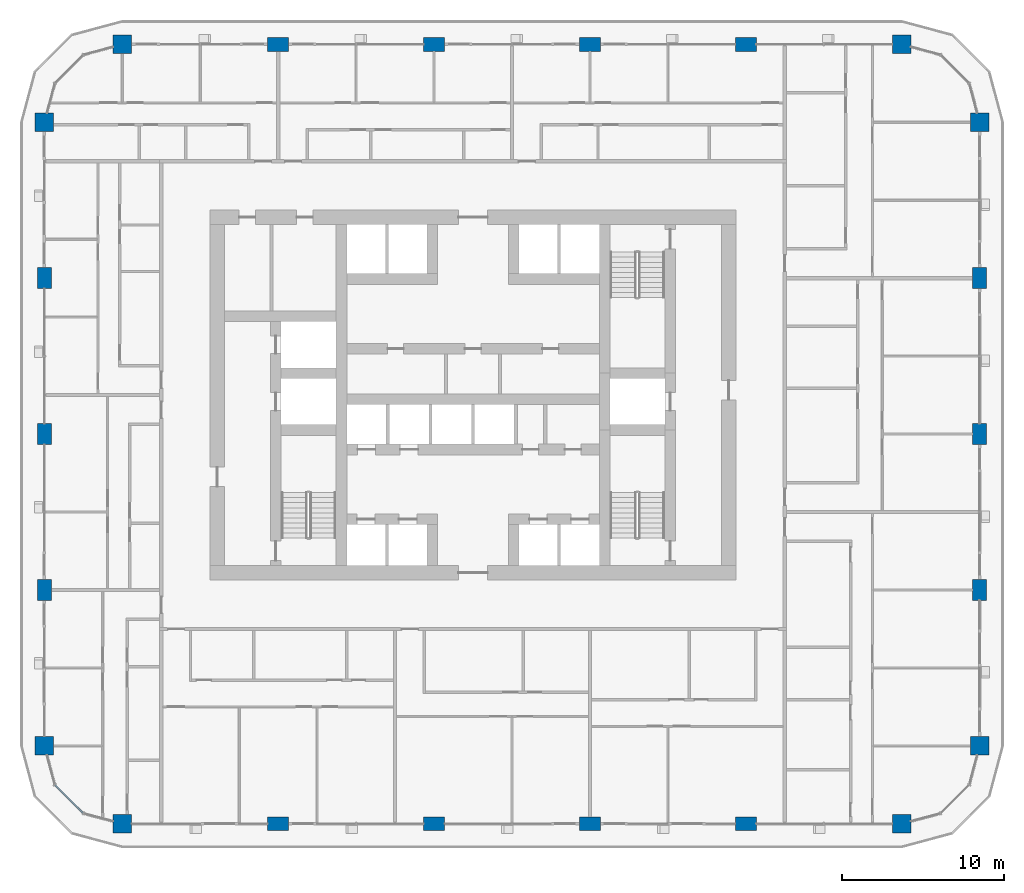
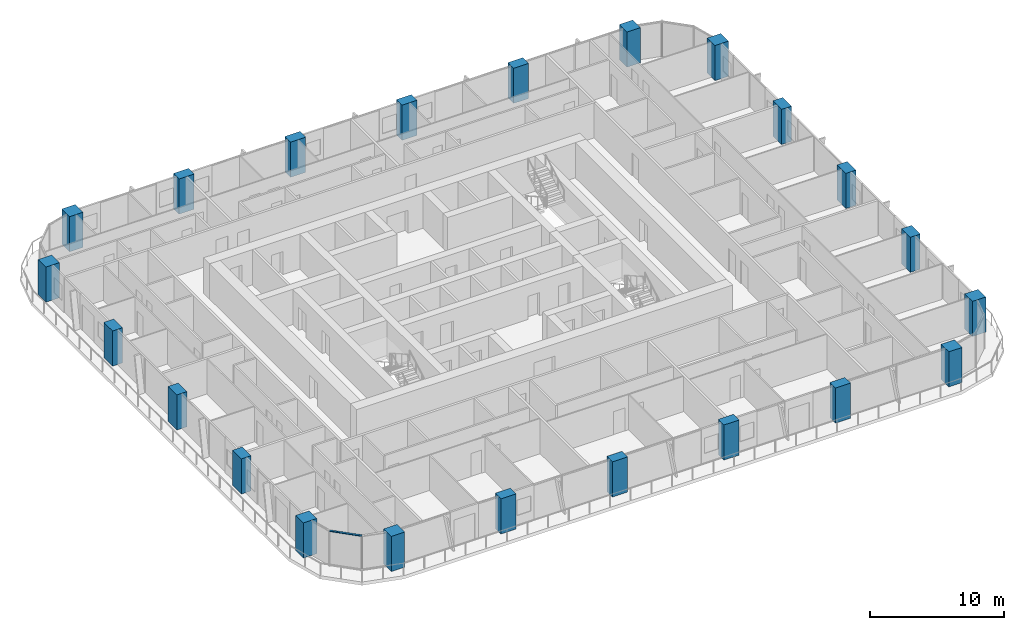
# One storey, part 1 of 22: 22 columns, 1 member, 1 element without a shape of its own.
"""IFC4 building model written with IfcOpenShell, lengths in metres."""

from ifc_helpers import new_model, si_unit, direction, frame, origin, origin_2d, place, context, subcontext, project, spatial, rectangle, extrude, material, layer, layer_set, material_profile, profile_set, type_object, element, aggregate, save


model = new_model("IFC4")

# Units and contexts
model_context = context("Model", 3, precision=1e-05, world=origin(), true_north=direction((0.0, 1.0)))
body_context = subcontext(model_context, "Body", "Model", "MODEL_VIEW")
ifc_project = project(units=[si_unit("LENGTHUNIT", "METRE"), si_unit("AREAUNIT", "SQUARE_METRE"), si_unit("VOLUMEUNIT", "CUBIC_METRE"), si_unit("PLANEANGLEUNIT", "RADIAN"), si_unit("MASSUNIT", "GRAM", prefix="KILO")], contexts=[model_context])

# Site, building, storey
site_placement = place(None, origin())
site = spatial("IfcSite", under=ifc_project, at=site_placement, CompositionType="ELEMENT")
building_placement = place(site_placement, origin())
building = spatial("IfcBuilding", under=site, at=building_placement, Name="Madar Terraces", CompositionType="ELEMENT")
storey_placement = place(building_placement, frame((0.0, 0.0, 76.800048828125)))
storey = spatial("IfcBuildingStorey", under=building, at=storey_placement, Name="L19", CompositionType="ELEMENT", Elevation=76.800048828125)

# Columns
ifc_material_1 = material(Name="Concrete C80/95", Category="concrete")
ifc_material_profile_1 = material_profile(ifc_material_1, rectangle(XDim=1.300048828125, YDim=0.85009765625, at=origin_2d()), Name="CC2 RC 1300x850")
ifc_profile_set_1 = profile_set([ifc_material_profile_1], Name="Concrete C80/95")
column_type_1 = type_object("IfcColumnType", Name="CC2 RC 1300x850", PredefinedType="COLUMN", material=ifc_profile_set_1)
for number, where, z_axis, x_axis, name in (
    (1, (19.199951171875, 0.0, 0.0), (0.0, 0.0, 1.0), (1.0, 0.0, 0.0), "Perimeter column S2"),
    (2, (28.800048828125, 0.0, 0.0), (0.0, 0.0, 1.0), (1.0, 0.0, 0.0), "Perimeter column S3"),
    (3, (38.39990234375, 0.0, 0.0), (0.0, 0.0, 1.0), (1.0, 0.0, 0.0), "Perimeter column S4"),
    (4, (48.0, 0.0, 0.0), (0.0, 0.0, 1.0), (1.0, 0.0, 0.0), "Perimeter column S5"),
    (5, (62.39990234375, 14.39990234375, 0.0), (0.0, 0.0, 1.0), (0.0, 1.0, 0.0), "Perimeter column E2"),
    (6, (62.39990234375, 24.0, 0.0), (0.0, 0.0, 1.0), (0.0, 1.0, 0.0), "Perimeter column E3"),
    (7, (62.39990234375, 33.60009765625, 0.0), (0.0, 0.0, 1.0), (0.0, 1.0, 0.0), "Perimeter column E4"),
    (8, (48.0, 48.0, 0.0), (0.0, 0.0, 1.0), (1.0, 0.0, 0.0), "Perimeter column N2"),
    (9, (38.39990234375, 48.0, 0.0), (0.0, 0.0, 1.0), (1.0, 0.0, 0.0), "Perimeter column N3"),
    (10, (28.800048828125, 48.0, 0.0), (0.0, 0.0, 1.0), (1.0, 0.0, 0.0), "Perimeter column N4"),
    (11, (19.199951171875, 48.0, 0.0), (0.0, 0.0, 1.0), (1.0, 0.0, 0.0), "Perimeter column N5"),
    (12, (4.800048828125, 33.60009765625, 0.0), (0.0, 0.0, 1.0), (0.0, 1.0, 0.0), "Perimeter column W2"),
    (13, (4.800048828125, 24.0, 0.0), (0.0, 0.0, 1.0), (0.0, 1.0, 0.0), "Perimeter column W3"),
    (14, (4.800048828125, 14.39990234375, 0.0), (0.0, 0.0, 1.0), (0.0, 1.0, 0.0), "Perimeter column W4"),
):
    element("IfcColumn", number, at=place(storey_placement, frame(where, z_axis=z_axis, x_axis=x_axis)), inside=storey, type_object=column_type_1, Name=name, PredefinedType="COLUMN", context=body_context, shape_type="SweptSolid", body=[
        extrude(rectangle(XDim=1.300048828125, YDim=0.85009765625, at=origin_2d()), origin(), (0.0, 0.0, 1.0), 3.199951171875),
    ])
ifc_material_2 = material(Name="Concrete C80/95", Category="concrete")
ifc_material_profile_2 = material_profile(ifc_material_2, rectangle(XDim=1.14990234375, YDim=1.14990234375, at=origin_2d()), Name="KC2 RC 1150x1150")
ifc_profile_set_2 = profile_set([ifc_material_profile_2], Name="Concrete C80/95")
column_type_2 = type_object("IfcColumnType", Name="KC2 RC 1150x1150", PredefinedType="COLUMN", material=ifc_profile_set_2)
for number, where, z_axis, x_axis, name in (
    (15, (9.60009765625, 0.0, 0.0), (0.0, 0.0, 1.0), (1.0, 0.0, 0.0), "Perimeter column S1"),
    (16, (57.60009765625, 0.0, 0.0), (0.0, 0.0, 1.0), (1.0, 0.0, 0.0), "Perimeter column S6"),
    (17, (62.39990234375, 4.800048828125, 0.0), (0.0, 0.0, 1.0), (1.0, 0.0, 0.0), "Perimeter column E1"),
    (18, (62.39990234375, 43.199951171875, 0.0), (0.0, 0.0, 1.0), (1.0, 0.0, 0.0), "Perimeter column E5"),
    (19, (57.60009765625, 48.0, 0.0), (0.0, 0.0, 1.0), (1.0, 0.0, 0.0), "Perimeter column N1"),
    (20, (9.60009765625, 48.0, 0.0), (0.0, 0.0, 1.0), (1.0, 0.0, 0.0), "Perimeter column N6"),
    (21, (4.800048828125, 43.199951171875, 0.0), (0.0, 0.0, 1.0), (1.0, 0.0, 0.0), "Perimeter column W1"),
    (22, (4.800048828125, 4.800048828125, 0.0), (0.0, 0.0, 1.0), (1.0, 0.0, 0.0), "Perimeter column W5"),
):
    element("IfcColumn", number, at=place(storey_placement, frame(where, z_axis=z_axis, x_axis=x_axis)), inside=storey, type_object=column_type_2, Name=name, PredefinedType="COLUMN", context=body_context, shape_type="SweptSolid", body=[
        extrude(rectangle(XDim=1.14990234375, YDim=1.14990234375, at=origin_2d()), origin(), (0.0, 0.0, 1.0), 3.199951171875),
    ])

# Curtain wall, member
ifc_material_3 = material(Name="Glass, ceramic frit dark grey, with black aluminium frame", Category="aluminium")
ifc_layer = layer(ifc_material_3, 0.199951171875)
ifc_layer_set = layer_set([ifc_layer], Name="Facade curtain wall, fritted glass")
curtain_wall_type = type_object("IfcCurtainWallType", Name="Facade curtain wall, fritted glass", PredefinedType="NOTDEFINED", material=ifc_layer_set)
curtain_wall_placement = place(storey_placement, origin())
curtain_wall = element("IfcCurtainWall", 23, at=curtain_wall_placement, inside=storey, type_object=curtain_wall_type, Name="Outer skin curtain wall south-west corner", PredefinedType="NOTDEFINED")
ifc_material_4 = material(Name="Aluminium, black anodised", Category="aluminium")
ifc_material_profile_3 = material_profile(ifc_material_4, rectangle(XDim=0.1201171875, YDim=0.06005859375, at=origin_2d()), Name="Facade transom 60x120")
ifc_profile_set_3 = profile_set([ifc_material_profile_3], Name="Aluminium, black anodised")
member_type = type_object("IfcMemberType", Name="Facade transom 60x120", PredefinedType="USERDEFINED", material=ifc_profile_set_3)
member_placement = place(storey_placement, frame((5.46435546875, 2.37890625, 3.169921875), z_axis=(0.707056433593, -0.707157125196, 0.0), x_axis=(0.707157125196, 0.707056433593, 0.0)))
member = element("IfcMember", 24, at=member_placement, type_object=member_type, Name="Transom 2", ObjectType="TRANSOM", PredefinedType="USERDEFINED", context=body_context, shape_type="SweptSolid", body=[
    extrude(rectangle(XDim=0.1201171875, YDim=0.06005859375, at=origin_2d()), origin(), (0.0, 0.0, 1.0), 2.424560546875),
])
aggregate(curtain_wall, [member])

save(model, "model.ifc")
